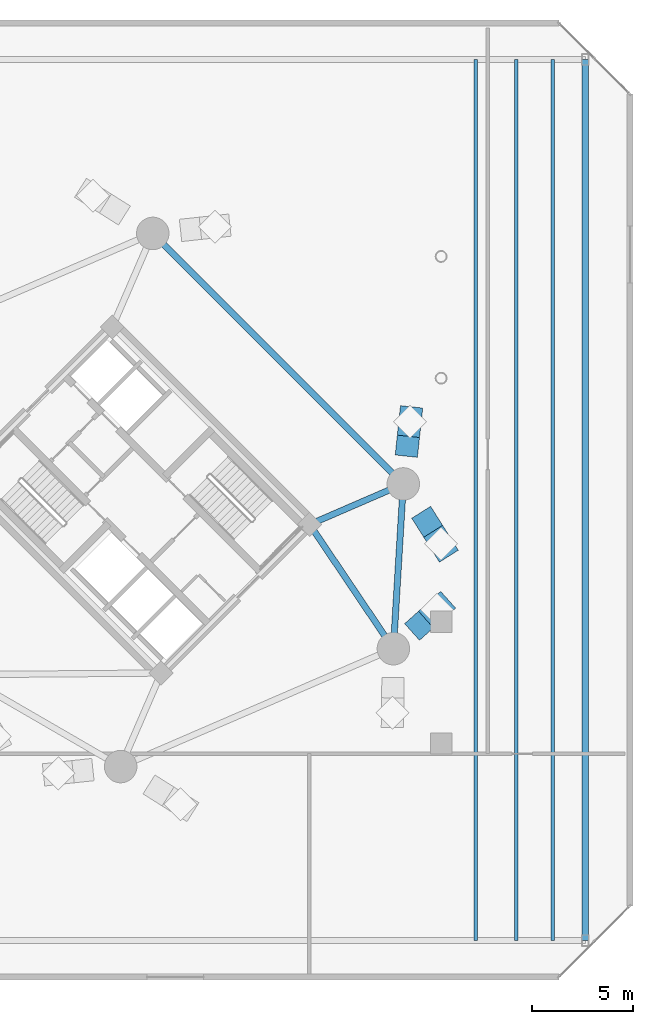
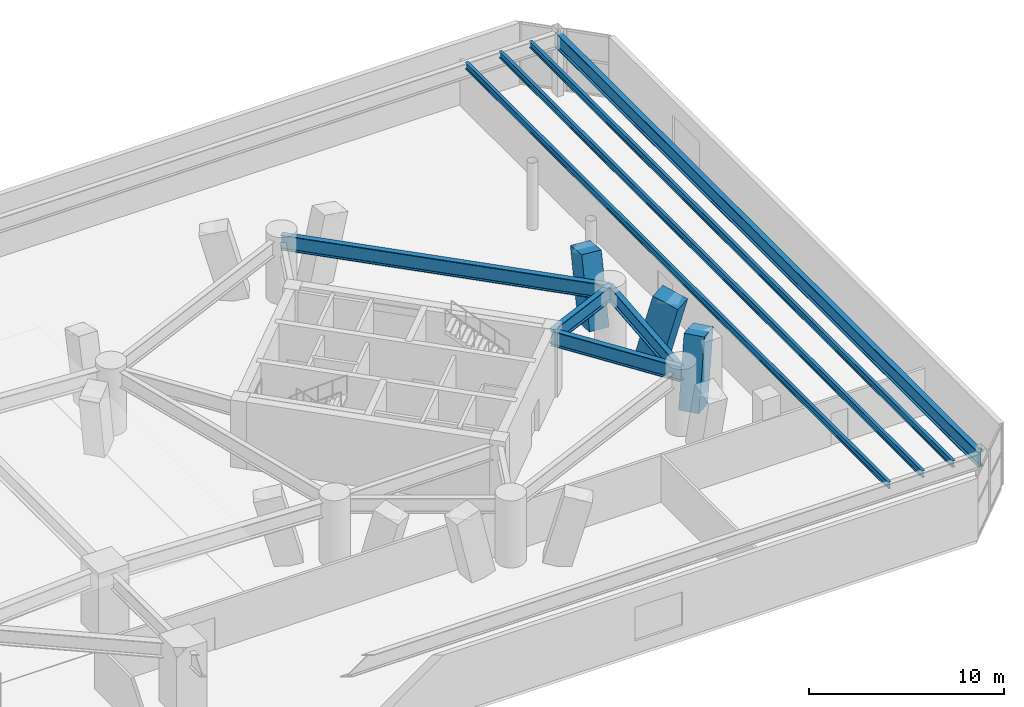
# One storey, part 8 of 20: 8 beams, 3 members.
"""IFC4 building model written with IfcOpenShell, lengths in metres."""

from ifc_helpers import new_model, si_unit, direction, frame, origin, origin_2d, place, context, subcontext, project, spatial, rectangle, i_section, extrude, material, material_profile, profile_set, type_object, element, save


model = new_model("IFC4")

# Units and contexts
model_context = context("Model", 3, precision=1e-05, world=origin(), true_north=direction((0.0, 1.0)))
body_context = subcontext(model_context, "Body", "Model", "MODEL_VIEW")
ifc_project = project(units=[si_unit("LENGTHUNIT", "METRE"), si_unit("AREAUNIT", "SQUARE_METRE"), si_unit("VOLUMEUNIT", "CUBIC_METRE"), si_unit("PLANEANGLEUNIT", "RADIAN"), si_unit("MASSUNIT", "GRAM", prefix="KILO")], contexts=[model_context])

# Site, building, storey
site_placement = place(None, origin())
site = spatial("IfcSite", under=ifc_project, at=site_placement, CompositionType="ELEMENT")
building_placement = place(site_placement, origin())
building = spatial("IfcBuilding", under=site, at=building_placement, Name="Cununo Teusaquillo Station Towers", CompositionType="ELEMENT")
storey_placement = place(building_placement, frame((0.0, 0.0, 9.0)))
storey = spatial("IfcBuildingStorey", under=building, at=storey_placement, Name="L02", CompositionType="ELEMENT", Elevation=9.0)

# Beams
ifc_material_1 = material(Name="Steel ASTM A572 Grade 50", Category="steel")
ifc_material_profile_1 = material_profile(ifc_material_1, i_section(OverallWidth=0.180908203125, OverallDepth=0.4169921875, WebThickness=0.010986328125, FlangeThickness=0.018310546875, FilletRadius=0.012939453125, at=origin_2d()), Name="W16X57")
ifc_profile_set_1 = profile_set([ifc_material_profile_1], Name="Steel ASTM A572 Grade 50")
beam_type_1 = type_object("IfcBeamType", Name="BM-JOIST-1", PredefinedType="JOIST", material=ifc_profile_set_1)
for number, where, z_axis, x_axis, name in (
    (1, (74.199951171875, 2.800048828125, 3.69140625), (0.0, 1.0, 0.0), (-1.0, 0.0, 0.0), "L02 Floor Secondary Joist 1"),
    (2, (76.199951171875, 2.800048828125, 3.69140625), (0.0, 1.0, 0.0), (-1.0, 0.0, 0.0), "L02 Floor Secondary Joist 2"),
    (3, (78.0, 2.800048828125, 3.69140625), (0.0, 1.0, 0.0), (-1.0, 0.0, 0.0), "L02 Floor Secondary Joist 3"),
):
    element("IfcBeam", number, at=place(storey_placement, frame(where, z_axis=z_axis, x_axis=x_axis)), inside=storey, type_object=beam_type_1, Name=name, PredefinedType="JOIST", context=body_context, shape_type="SweptSolid", body=[
        extrude(i_section(OverallWidth=0.180908203125, OverallDepth=0.4169921875, WebThickness=0.010986328125, FlangeThickness=0.018310546875, FilletRadius=0.012939453125, at=origin_2d()), origin(), (0.0, 0.0, 1.0), 43.39990234375),
    ])
ifc_material_2 = material(Name="Steel ASTM A572 Grade 50", Category="steel")
ifc_material_profile_2 = material_profile(ifc_material_2, i_section(OverallWidth=0.30810546875, OverallDepth=0.943115234375, WebThickness=0.022216796875, FlangeThickness=0.039794921875, FilletRadius=0.02392578125, at=origin_2d()), Name="W36X232")
ifc_profile_set_2 = profile_set([ifc_material_profile_2], Name="Steel ASTM A572 Grade 50")
beam_type_2 = type_object("IfcBeamType", Name="BM-POD-SEC", PredefinedType="BEAM", material=ifc_profile_set_2)
beam_1_placement = place(storey_placement, frame((70.146240234375, 17.173095703125, 3.428466796875), z_axis=(0.06012979176, 0.998190567048, 0.0), x_axis=(-0.998190567048, 0.06012979176, 0.0)))
element("IfcBeam", 4, at=beam_1_placement, inside=storey, type_object=beam_type_2, Name="L02 Tower B Podium Perimeter Girder 5", PredefinedType="BEAM", context=body_context, shape_type="SweptSolid", body=[
    extrude(i_section(OverallWidth=0.30810546875, OverallDepth=0.943115234375, WebThickness=0.022216796875, FlangeThickness=0.039794921875, FilletRadius=0.02392578125, at=origin_2d()), origin(), (0.0, 0.0, 1.0), 8.132568359375),
])
beam_2_placement = place(storey_placement, frame((70.63525390625, 25.291015625, 3.428466796875), z_axis=(-0.707106781187, 0.707106781187, 0.0), x_axis=(-0.707106781187, -0.707106781187, 0.0)))
element("IfcBeam", 5, at=beam_2_placement, inside=storey, type_object=beam_type_2, Name="L02 Tower B Podium Perimeter Girder 6", PredefinedType="BEAM", context=body_context, shape_type="SweptSolid", body=[
    extrude(i_section(OverallWidth=0.30810546875, OverallDepth=0.943115234375, WebThickness=0.022216796875, FlangeThickness=0.039794921875, FilletRadius=0.02392578125, at=origin_2d()), origin(), (0.0, 0.0, 1.0), 17.457275390625),
])
beam_3_placement = place(storey_placement, frame((66.024169921875, 23.29443359375, 3.428466796875), z_axis=(0.558557182486, -0.829466017323, 0.0), x_axis=(0.829466017323, 0.558557182486, 0.0)))
element("IfcBeam", 6, at=beam_3_placement, inside=storey, type_object=beam_type_2, Name="L02 Tower B Podium Radial Girder 5", PredefinedType="BEAM", context=body_context, shape_type="SweptSolid", body=[
    extrude(i_section(OverallWidth=0.30810546875, OverallDepth=0.943115234375, WebThickness=0.022216796875, FlangeThickness=0.039794921875, FilletRadius=0.02392578125, at=origin_2d()), origin(), (0.0, 0.0, 1.0), 7.3798828125),
])
beam_4_placement = place(storey_placement, frame((66.024169921875, 23.29443359375, 3.428466796875), z_axis=(0.917668443616, 0.397346986387, 0.0), x_axis=(-0.397346986387, 0.917668443616, 0.0)))
element("IfcBeam", 7, at=beam_4_placement, inside=storey, type_object=beam_type_2, Name="L02 Tower B Podium Radial Girder 6", PredefinedType="BEAM", context=body_context, shape_type="SweptSolid", body=[
    extrude(i_section(OverallWidth=0.30810546875, OverallDepth=0.943115234375, WebThickness=0.022216796875, FlangeThickness=0.039794921875, FilletRadius=0.02392578125, at=origin_2d()), origin(), (0.0, 0.0, 1.0), 5.02490234375),
])
beam_5_placement = place(storey_placement, frame((79.60009765625, 2.800048828125, 3.428466796875), z_axis=(0.0, 1.0, 0.0), x_axis=(-1.0, 0.0, 0.0)))
element("IfcBeam", 8, at=beam_5_placement, inside=storey, type_object=beam_type_2, Name="L02 Station Podium Girder CAN-E", PredefinedType="BEAM", context=body_context, shape_type="SweptSolid", body=[
    extrude(i_section(OverallWidth=0.30810546875, OverallDepth=0.943115234375, WebThickness=0.022216796875, FlangeThickness=0.039794921875, FilletRadius=0.02392578125, at=origin_2d()), origin(), (0.0, 0.0, 1.0), 43.39990234375),
])

# Members
ifc_material_3 = material(Name="Concrete C60/75", Category="concrete")
ifc_material_profile_3 = material_profile(ifc_material_3, rectangle(XDim=1.10009765625, YDim=1.5, at=origin_2d()), Name="RC-RECT-1500x1100")
ifc_profile_set_3 = profile_set([ifc_material_profile_3], Name="Concrete C60/75")
member_type = type_object("IfcMemberType", Name="MBR-VFOOT", PredefinedType="USERDEFINED", material=ifc_profile_set_3)
member_1_placement = place(storey_placement, frame((71.613525390625, 18.484619140625, 0.0), z_axis=(0.159288559684, 0.142365924823, 0.976913045364), x_axis=(-0.666390727208, 0.745602708344, 0.0)))
element("IfcMember", 9, at=member_1_placement, inside=storey, type_object=member_type, Name="L02 Tower B Sloping Concrete V-Foot V16R", ObjectType="V FOOT STRUT", PredefinedType="USERDEFINED", context=body_context, shape_type="SweptSolid", body=[
    extrude(rectangle(XDim=1.10009765625, YDim=1.5, at=origin_2d()), origin(), (0.0, 0.0, 1.0), 4.29931640625),
])
member_2_placement = place(storey_placement, frame((71.902587890625, 23.281494140625, 0.0), z_axis=(0.136128676893, -0.215827464603, 0.96689580041), x_axis=(0.845813254472, 0.533479089149, 0.0)))
element("IfcMember", 10, at=member_2_placement, inside=storey, type_object=member_type, Name="L02 Tower B Sloping Concrete V-Foot V18L", ObjectType="V FOOT STRUT", PredefinedType="USERDEFINED", context=body_context, shape_type="SweptSolid", body=[
    extrude(rectangle(XDim=1.10009765625, YDim=1.5, at=origin_2d()), origin(), (0.0, 0.0, 1.0), 4.34375),
])
member_3_placement = place(storey_placement, frame((70.860595703125, 27.385986328125, 0.0), z_axis=(0.024394277408, 0.226623403117, 0.97367692403), x_axis=(-0.994256426068, 0.107024105803, 0.0)))
element("IfcMember", 11, at=member_3_placement, inside=storey, type_object=member_type, Name="L02 Tower B Sloping Concrete V-Foot V18R", ObjectType="V FOOT STRUT", PredefinedType="USERDEFINED", context=body_context, shape_type="SweptSolid", body=[
    extrude(rectangle(XDim=1.10009765625, YDim=1.5, at=origin_2d()), origin(), (0.0, 0.0, 1.0), 4.3134765625),
])

save(model, "model.ifc")
